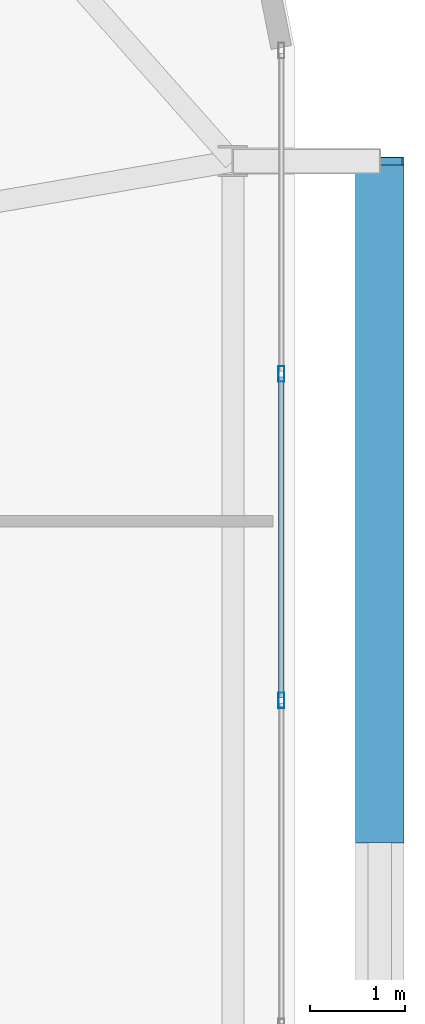
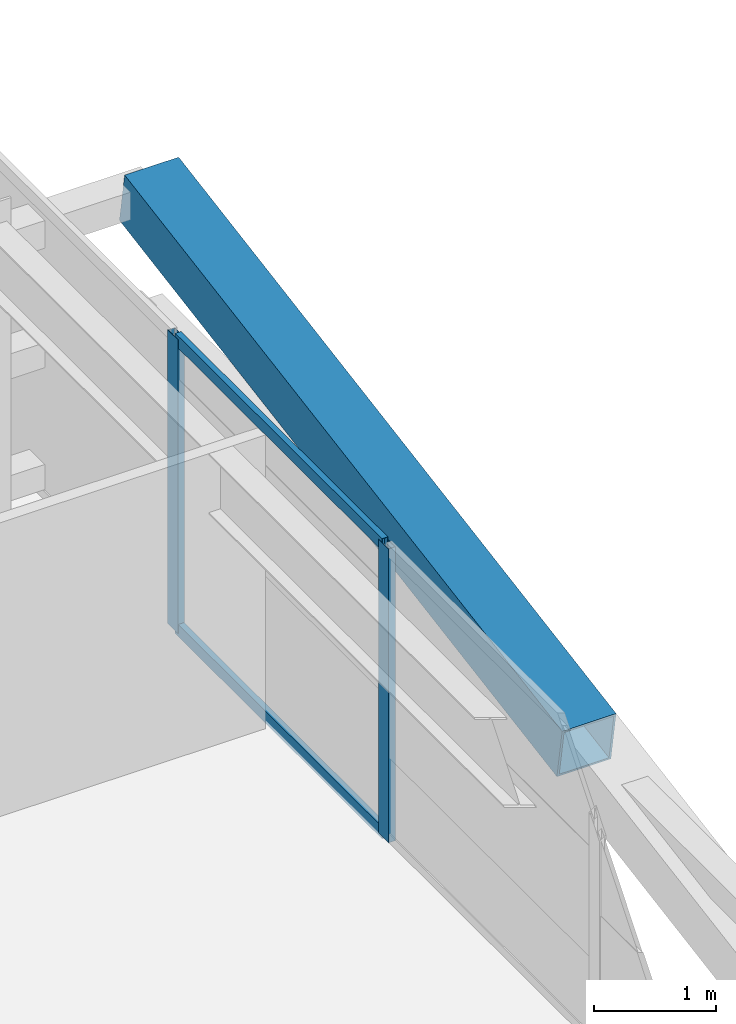
# One storey, part 32 of 58: 5 members, 1 element without a shape of its own.
"""IFC4 building model written with IfcOpenShell, lengths in metres."""

from ifc_helpers import new_model, si_unit, direction, frame, origin, origin_2d, place, context, subcontext, project, spatial, hollow_rectangle, extrude, source, transform, mapped, material, layer, layer_set, material_profile, profile_set, type_object, element, aggregate, save


model = new_model("IFC4")

# Units and contexts
model_context = context("Model", 3, precision=1e-05, world=origin(), true_north=direction((0.0, 1.0)))
body_context = subcontext(model_context, "Body", "Model", "MODEL_VIEW")
ifc_project = project(units=[si_unit("LENGTHUNIT", "METRE"), si_unit("AREAUNIT", "SQUARE_METRE"), si_unit("VOLUMEUNIT", "CUBIC_METRE"), si_unit("PLANEANGLEUNIT", "RADIAN"), si_unit("MASSUNIT", "GRAM", prefix="KILO")], contexts=[model_context])

# Site, building, storey
site_placement = place(None, origin())
site = spatial("IfcSite", under=ifc_project, at=site_placement, CompositionType="ELEMENT")
building_placement = place(site_placement, origin())
building = spatial("IfcBuilding", under=site, at=building_placement, Name="Taldren Reach Tower", CompositionType="ELEMENT")
storey_placement = place(building_placement, frame((0.0, 0.0, 32.550048828125)))
storey = spatial("IfcBuildingStorey", under=building, at=storey_placement, Name="L09", CompositionType="ELEMENT", Elevation=32.550048828125)

# Member
ifc_material_1 = material(Name="Steel Gr 450 (C450L0)", Category="steel")
ifc_material_profile_1 = material_profile(ifc_material_1, hollow_rectangle(XDim=0.510009765625, YDim=0.510009765625, WallThickness=0.02001953125, at=origin_2d()), Name="510x510x20.0SHS")
ifc_profile_set_1 = profile_set([ifc_material_profile_1], Name="Steel Gr 450 (C450L0)")
member_type_1 = type_object("IfcMemberType", Name="MB-EXO508", PredefinedType="BRACE", material=ifc_profile_set_1)
shared_shape_1 = source(origin(), body_context, "Body", "SweptSolid", [
    extrude(hollow_rectangle(XDim=0.510009765625, YDim=0.510009765625, WallThickness=0.02001953125, at=origin_2d()), origin(), (0.0, 0.0, 1.0), 7.252685546875),
])
member_1_placement = place(storey_placement, frame((65.89990234375, 27.14990234375, 1.43505859375), z_axis=(0.0, 0.985871360071, 0.167504213054), x_axis=(-1.0, 0.0, 0.0)))
element("IfcMember", 1, at=member_1_placement, inside=storey, type_object=member_type_1, Name="Exoskeleton Diagrid Brace B1-E2 L09", PredefinedType="BRACE", context=body_context, shape_type="MappedRepresentation", body=[
    mapped(shared_shape_1, transform((0.0, 0.0, 0.0), scale=1.0)),
])

# Curtain wall, members
ifc_material_2 = material(Name="Aluminium and Low-E Glass Unitised System", Category="aluminium")
ifc_layer = layer(ifc_material_2, 0.159912109375)
ifc_layer_set = layer_set([ifc_layer], Name="Aluminium and Low-E Glass Unitised System")
curtain_wall_type = type_object("IfcCurtainWallType", Name="CW-SYS-2", PredefinedType="NOTDEFINED", material=ifc_layer_set)
curtain_wall_placement = place(storey_placement, origin())
curtain_wall = element("IfcCurtainWall", 2, at=curtain_wall_placement, inside=storey, type_object=curtain_wall_type, Name="Unitised curtain wall CW-L09-E", PredefinedType="NOTDEFINED")
ifc_material_3 = material(Name="Anodised Aluminium 6063-T6", Category="aluminium")
ifc_material_profile_2 = material_profile(ifc_material_3, hollow_rectangle(XDim=0.06494140625, YDim=0.1650390625, WallThickness=0.00390625, at=origin_2d()), Name="ALU-165x65x4RHS")
ifc_profile_set_2 = profile_set([ifc_material_profile_2], Name="Anodised Aluminium 6063-T6")
member_type_2 = type_object("IfcMemberType", Name="CW-MUL-165", PredefinedType="MULLION", material=ifc_profile_set_2)
shared_shape_2 = source(origin(), body_context, "Body", "SweptSolid", [
    extrude(hollow_rectangle(XDim=0.06494140625, YDim=0.1650390625, WallThickness=0.00390625, at=origin_2d()), origin(), (0.0, 0.0, 1.0), 2.929931640625),
])
member_2_placement = place(storey_placement, frame((64.860107421875, 28.611083984375, 0.0), z_axis=(0.0, 0.0, 1.0), x_axis=(-1.0, 0.0, 0.0)))
member_2 = element("IfcMember", 3, at=member_2_placement, type_object=member_type_2, Name="CW-2 mullion 8", PredefinedType="MULLION", context=body_context, shape_type="MappedRepresentation", body=[
    mapped(shared_shape_2, transform((0.0, 0.0, 0.0), scale=1.0)),
])
member_3_placement = place(storey_placement, frame((64.860107421875, 32.0556640625, 0.0), z_axis=(0.0, 0.0, 1.0), x_axis=(-1.0, 0.0, 0.0)))
member_3 = element("IfcMember", 4, at=member_3_placement, type_object=member_type_2, Name="CW-2 mullion 9", PredefinedType="MULLION", context=body_context, shape_type="MappedRepresentation", body=[
    mapped(shared_shape_2, transform((0.0, 0.0, 0.0), scale=1.0)),
])
ifc_material_profile_3 = material_profile(ifc_material_3, hollow_rectangle(XDim=0.054931640625, YDim=0.1201171875, WallThickness=0.0029296875, at=origin_2d()), Name="ALU-120x55x3RHS")
ifc_profile_set_3 = profile_set([ifc_material_profile_3], Name="Anodised Aluminium 6063-T6")
member_type_3 = type_object("IfcMemberType", Name="CW-TRN-135", PredefinedType="USERDEFINED", material=ifc_profile_set_3)
shared_shape_3 = source(origin(), body_context, "Body", "SweptSolid", [
    extrude(hollow_rectangle(XDim=0.054931640625, YDim=0.1201171875, WallThickness=0.0029296875, at=origin_2d()), origin(), (0.0, 0.0, 1.0), 3.37939453125),
])
member_4_placement = place(storey_placement, frame((64.860107421875, 28.6435546875, 0.02734375), z_axis=(0.0, 1.0, 0.0), x_axis=(-1.0, 0.0, 0.0)))
member_4 = element("IfcMember", 5, at=member_4_placement, type_object=member_type_3, Name="CW-2 transom 8.1", ObjectType="TRANSOM", PredefinedType="USERDEFINED", context=body_context, shape_type="MappedRepresentation", body=[
    mapped(shared_shape_3, transform((0.0, 0.0, 0.0), scale=1.0)),
])
member_5_placement = place(storey_placement, frame((64.860107421875, 28.6435546875, 2.90234375), z_axis=(0.0, 1.0, 0.0), x_axis=(-1.0, 0.0, 0.0)))
member_5 = element("IfcMember", 6, at=member_5_placement, type_object=member_type_3, Name="CW-2 transom 8.2", ObjectType="TRANSOM", PredefinedType="USERDEFINED", context=body_context, shape_type="MappedRepresentation", body=[
    mapped(shared_shape_3, transform((0.0, 0.0, 0.0), scale=1.0)),
])
aggregate(curtain_wall, [member_2, member_3, member_4, member_5])

save(model, "model.ifc")
